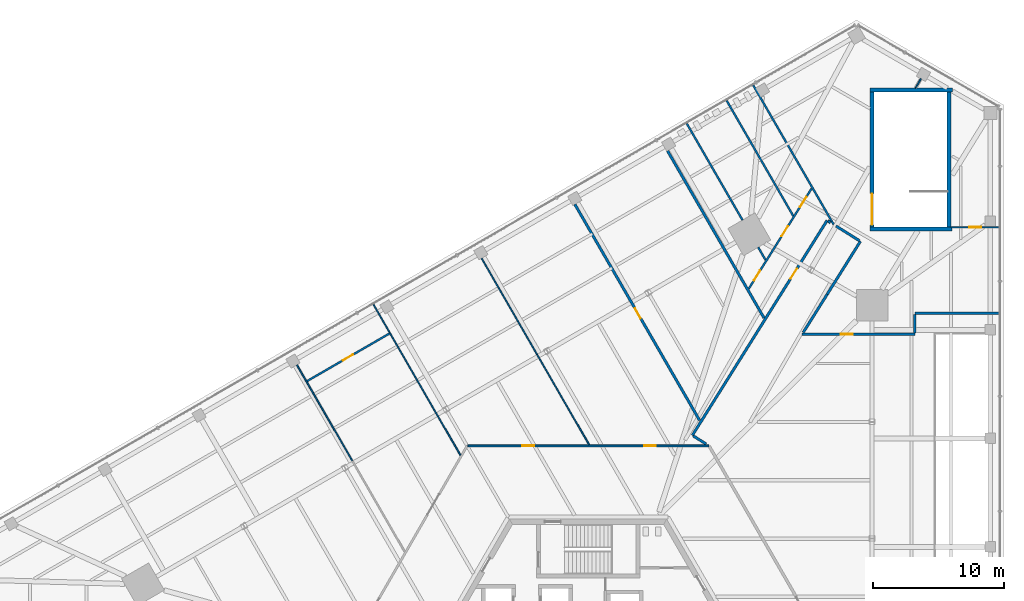
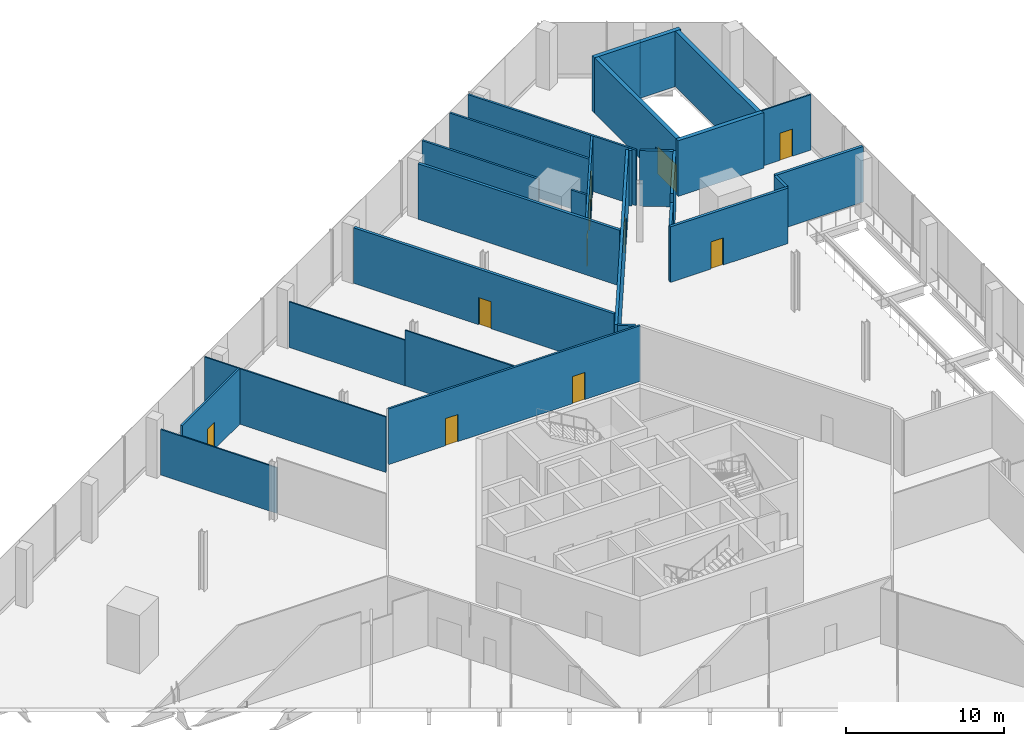
# One storey, part 22 of 25: 28 walls, 11 doors, 11 openings.
"""IFC4 building model written with IfcOpenShell, lengths in metres."""

from ifc_helpers import new_model, si_unit, direction, frame, frame_2d, origin, place, context, subcontext, project, spatial, rectangle, extrude, source, transform, mapped, material, layer, layer_set, type_object, element, fill, save


model = new_model("IFC4")

# Units and contexts
model_context = context("Model", 3, precision=1e-05, world=origin(), true_north=direction((0.0, 1.0)))
body_context = subcontext(model_context, "Body", "Model", "MODEL_VIEW")
ifc_project = project(units=[si_unit("LENGTHUNIT", "METRE"), si_unit("AREAUNIT", "SQUARE_METRE"), si_unit("VOLUMEUNIT", "CUBIC_METRE"), si_unit("PLANEANGLEUNIT", "RADIAN"), si_unit("MASSUNIT", "GRAM", prefix="KILO")], contexts=[model_context])

# Site, building, storey
site_placement = place(None, origin())
site = spatial("IfcSite", under=ifc_project, at=site_placement, CompositionType="ELEMENT")
building_placement = place(site_placement, origin())
building = spatial("IfcBuilding", under=site, at=building_placement, Name="Triune Harvest Tower", CompositionType="ELEMENT")
storey_placement = place(building_placement, frame((0.0, 0.0, 11.5)))
storey = spatial("IfcBuildingStorey", under=building, at=storey_placement, Name="L02", CompositionType="ELEMENT", Elevation=11.5)

# Walls
ifc_material_1 = material(Name="Gypsum board on steel studs", Category="steel")
ifc_layer_1 = layer(ifc_material_1, 0.14990234375)
ifc_layer_set_1 = layer_set([ifc_layer_1], Name="Gypsum board on steel studs")
wall_type_1 = type_object("IfcWallType", Name="Fire Partition 150 mm", PredefinedType="PARTITIONING", material=ifc_layer_set_1)
wall_1_placement = place(storey_placement, frame((7.5390625, 40.58642578125, 0.0), z_axis=(0.0, 0.0, 1.0), x_axis=(0.500002254446, -0.866024102175, 0.0)))
element("IfcWall", 1, at=wall_1_placement, inside=storey, type_object=wall_type_1, Name="Partition L02 009", PredefinedType="PARTITIONING", context=body_context, shape_type="SweptSolid", body=[
    extrude(rectangle(XDim=8.509765625, YDim=0.14990234375, at=frame_2d((4.2548828125, 0.0))), origin(), (0.0, 0.0, 1.0), 4.300048828125),
])
wall_2_placement = place(storey_placement, frame((12.98388671875, 31.155517578125, 0.0), z_axis=(0.0, 0.0, 1.0), x_axis=(0.500106656143, -0.865963817074, 0.0)))
element("IfcWall", 2, at=wall_2_placement, inside=storey, type_object=wall_type_1, Name="Partition L02 010", PredefinedType="PARTITIONING", context=body_context, shape_type="SweptSolid", body=[
    extrude(rectangle(XDim=1.118408203125, YDim=0.14990234375, at=frame_2d((0.55908203125, 0.0))), origin(), (0.0, 0.0, 1.0), 4.300048828125),
])
wall_3_placement = place(storey_placement, frame((10.5830078125, 42.34375, 0.0), z_axis=(0.0, 0.0, 1.0), x_axis=(0.499975465356, -0.866039568404, 0.0)))
element("IfcWall", 3, at=wall_3_placement, inside=storey, type_object=wall_type_1, Name="Partition L02 011", PredefinedType="PARTITIONING", context=body_context, shape_type="SweptSolid", body=[
    extrude(rectangle(XDim=10.24609375, YDim=0.14990234375, at=frame_2d((5.123046875, 0.0))), origin(), (0.0, 0.0, 1.0), 4.300048828125),
])
wall_4_placement = place(storey_placement, frame((12.612060546875, 43.515380859375, 0.0), z_axis=(0.0, 0.0, 1.0), x_axis=(0.499986374972, -0.866033270055, 0.0)))
element("IfcWall", 4, at=wall_4_placement, inside=storey, type_object=wall_type_1, Name="Partition L02 012", PredefinedType="PARTITIONING", context=body_context, shape_type="SweptSolid", body=[
    extrude(rectangle(XDim=12.278076171875, YDim=0.14990234375, at=frame_2d((6.13916015625, 0.0))), origin(), (0.0, 0.0, 1.0), 4.300048828125),
])

# Wall, openings, doors
wall_5_placement = place(storey_placement, frame((-9.18310546875, 15.9921875, 0.0), z_axis=(0.0, 0.0, 1.0), x_axis=(1.0, 0.0, 0.0)))
wall_5 = element("IfcWall", 5, at=wall_5_placement, inside=storey, type_object=wall_type_1, Name="Partition L02 027", PredefinedType="PARTITIONING", context=body_context, shape_type="SweptSolid", body=[
    extrude(rectangle(XDim=18.41455078125, YDim=0.14990234375, at=frame_2d((9.207275390625, 0.0))), origin(), (0.0, 0.0, 1.0), 4.300048828125),
])
opening_1_placement = place(wall_5_placement, frame((4.162353515625, 0.0, 0.0)))
opening_1 = element("IfcOpeningElement", 6, at=opening_1_placement, cuts=wall_5, Name="Opening L02-015", PredefinedType="OPENING", context=body_context, shape_type="SweptSolid", body=[
    extrude(rectangle(XDim=0.89990234375, YDim=2.10009765625, at=frame_2d((0.449951171875, 1.050048828125))), frame((0.0, 0.0849609375, 0.0), z_axis=(0.0, -1.0, 0.0), x_axis=(1.0, 0.0, 0.0)), (0.0, 0.0, 1.0), 0.169921875),
])
opening_2_placement = place(wall_5_placement, frame((13.46630859375, 0.0, 0.0)))
opening_2 = element("IfcOpeningElement", 7, at=opening_2_placement, cuts=wall_5, Name="Opening L02-016", PredefinedType="OPENING", context=body_context, shape_type="SweptSolid", body=[
    extrude(rectangle(XDim=0.89990234375, YDim=2.10009765625, at=frame_2d((0.449951171875, 1.050048828125))), frame((0.0, 0.0849609375, 0.0), z_axis=(0.0, -1.0, 0.0), x_axis=(1.0, 0.0, 0.0)), (0.0, 0.0, 1.0), 0.169921875),
])
ifc_material_2 = material(Name="Timber and steel door set", Category="steel")
door_type_1 = type_object("IfcDoorType", Name="Single leaf door FD30 left hand 900 x 2100", OperationType="SINGLE_SWING_LEFT", PredefinedType="DOOR", material=ifc_material_2)
door_1_placement = place(opening_1_placement, origin())
door_1 = element("IfcDoor", 8, at=door_1_placement, inside=storey, type_object=door_type_1, Name="Door L02-015 Dry Store Room 02.15", OperationType="SINGLE_SWING_LEFT", OverallHeight=2.10009765625, OverallWidth=0.89990234375, PredefinedType="DOOR", context=body_context, shape_type="SweptSolid", body=[
    extrude(rectangle(XDim=0.89990234375, YDim=2.10009765625, at=frame_2d((0.449951171875, 1.050048828125))), frame((0.0, 0.02490234375, 0.0), z_axis=(0.0, -1.0, 0.0), x_axis=(1.0, 0.0, 0.0)), (0.0, 0.0, 1.0), 0.050048828125),
])
fill(opening_1, door_1)
ifc_material_3 = material(Name="Timber and steel door set", Category="steel")
door_type_2 = type_object("IfcDoorType", Name="Single leaf door FD30 right hand 900 x 2100", OperationType="SINGLE_SWING_RIGHT", PredefinedType="DOOR", material=ifc_material_3)
door_2_placement = place(opening_2_placement, origin())
door_2 = element("IfcDoor", 9, at=door_2_placement, inside=storey, type_object=door_type_2, Name="Door L02-016 Dry Store Room 02.16", OperationType="SINGLE_SWING_RIGHT", OverallHeight=2.10009765625, OverallWidth=0.89990234375, PredefinedType="DOOR", context=body_context, shape_type="SweptSolid", body=[
    extrude(rectangle(XDim=0.89990234375, YDim=2.10009765625, at=frame_2d((0.449951171875, 1.050048828125))), frame((0.0, 0.02490234375, 0.0), z_axis=(0.0, -1.0, 0.0), x_axis=(1.0, 0.0, 0.0)), (0.0, 0.0, 1.0), 0.050048828125),
])
fill(opening_2, door_2)

wall_6_placement = place(storey_placement, frame((12.272216796875, 27.993408203125, 0.0), z_axis=(0.0, 0.0, 1.0), x_axis=(0.531186255212, 0.847255075095, 0.0)))
wall_6 = element("IfcWall", 10, at=wall_6_placement, inside=storey, type_object=wall_type_1, Name="Partition L02 038", PredefinedType="PARTITIONING", context=body_context, shape_type="SweptSolid", body=[
    extrude(rectangle(XDim=9.015869140625, YDim=0.14990234375, at=frame_2d((4.5078125, 0.0))), origin(), (0.0, 0.0, 1.0), 4.300048828125),
])
opening_3_placement = place(wall_6_placement, frame((7.36572265625, 0.0, 0.0)))
opening_3 = element("IfcOpeningElement", 11, at=opening_3_placement, cuts=wall_6, Name="Opening L02-009", PredefinedType="OPENING", context=body_context, shape_type="SweptSolid", body=[
    extrude(rectangle(XDim=0.89990234375, YDim=2.10009765625, at=frame_2d((0.449951171875, 1.050048828125))), frame((0.0, 0.0849609375, 0.0), z_axis=(0.0, -1.0, 0.0), x_axis=(1.0, 0.0, 0.0)), (0.0, 0.0, 1.0), 0.169921875),
])
opening_4_placement = place(wall_6_placement, frame((4.714111328125, 0.0, 0.0)))
opening_4 = element("IfcOpeningElement", 12, at=opening_4_placement, cuts=wall_6, Name="Opening L02-010", PredefinedType="OPENING", context=body_context, shape_type="SweptSolid", body=[
    extrude(rectangle(XDim=0.89990234375, YDim=2.10009765625, at=frame_2d((0.449951171875, 1.050048828125))), frame((0.0, 0.0849609375, 0.0), z_axis=(0.0, -1.0, 0.0), x_axis=(1.0, 0.0, 0.0)), (0.0, 0.0, 1.0), 0.169921875),
])
opening_5_placement = place(wall_6_placement, frame((0.73681640625, 0.0, 0.0)))
opening_5 = element("IfcOpeningElement", 13, at=opening_5_placement, cuts=wall_6, Name="Opening L02-011", PredefinedType="OPENING", context=body_context, shape_type="SweptSolid", body=[
    extrude(rectangle(XDim=0.89990234375, YDim=2.10009765625, at=frame_2d((0.449951171875, 1.050048828125))), frame((0.0, 0.0849609375, 0.0), z_axis=(0.0, -1.0, 0.0), x_axis=(1.0, 0.0, 0.0)), (0.0, 0.0, 1.0), 0.169921875),
])
door_3_placement = place(opening_5_placement, origin())
door_3 = element("IfcDoor", 14, at=door_3_placement, inside=storey, type_object=door_type_1, Name="Door L02-011 Accessible WC 02.11", OperationType="SINGLE_SWING_LEFT", OverallHeight=2.10009765625, OverallWidth=0.89990234375, PredefinedType="DOOR", context=body_context, shape_type="SweptSolid", body=[
    extrude(rectangle(XDim=0.89990234375, YDim=2.10009765625, at=frame_2d((0.449951171875, 1.050048828125))), frame((0.0, 0.02490234375, 0.0), z_axis=(0.0, -1.0, 0.0), x_axis=(1.0, 0.0, 0.0)), (0.0, 0.0, 1.0), 0.050048828125),
])
fill(opening_5, door_3)
door_4_placement = place(opening_3_placement, origin())
door_4 = element("IfcDoor", 15, at=door_4_placement, inside=storey, type_object=door_type_2, Name="Door L02-009 Women's WC 02.09", OperationType="SINGLE_SWING_RIGHT", OverallHeight=2.10009765625, OverallWidth=0.89990234375, PredefinedType="DOOR", context=body_context, shape_type="SweptSolid", body=[
    extrude(rectangle(XDim=0.89990234375, YDim=2.10009765625, at=frame_2d((0.449951171875, 1.050048828125))), frame((0.0, 0.02490234375, 0.0), z_axis=(0.0, -1.0, 0.0), x_axis=(1.0, 0.0, 0.0)), (0.0, 0.0, 1.0), 0.050048828125),
])
fill(opening_3, door_4)
door_5_placement = place(opening_4_placement, origin())
door_5 = element("IfcDoor", 16, at=door_5_placement, inside=storey, type_object=door_type_2, Name="Door L02-010 Men's WC 02.10", OperationType="SINGLE_SWING_RIGHT", OverallHeight=2.10009765625, OverallWidth=0.89990234375, PredefinedType="DOOR", context=body_context, shape_type="SweptSolid", body=[
    extrude(rectangle(XDim=0.89990234375, YDim=2.10009765625, at=frame_2d((0.449951171875, 1.050048828125))), frame((0.0, 0.02490234375, 0.0), z_axis=(0.0, -1.0, 0.0), x_axis=(1.0, 0.0, 0.0)), (0.0, 0.0, 1.0), 0.050048828125),
])
fill(opening_4, door_5)

# Wall, opening, door
ifc_material_4 = material(Name="Gypsum board on steel studs", Category="steel")
ifc_layer_2 = layer(ifc_material_4, 0.199951171875)
ifc_layer_set_2 = layer_set([ifc_layer_2], Name="Gypsum board on steel studs")
wall_type_2 = type_object("IfcWallType", Name="Fire Wall 200 mm", PredefinedType="PARTITIONING", material=ifc_layer_set_2)
wall_7_placement = place(storey_placement, frame((-1.01171875, 34.432373046875, 0.0), z_axis=(0.0, 0.0, 1.0), x_axis=(0.499992253202, -0.866029876354, 0.0)))
wall_7 = element("IfcWall", 17, at=wall_7_placement, inside=storey, type_object=wall_type_2, Name="Partition L02 007", PredefinedType="PARTITIONING", context=body_context, shape_type="SweptSolid", body=[
    extrude(rectangle(XDim=19.060302734375, YDim=0.199951171875, at=frame_2d((9.5302734375, 0.0))), origin(), (0.0, 0.0, 1.0), 4.300048828125),
])
opening_6_placement = place(wall_7_placement, frame((9.160400390625, 0.0, 0.0)))
opening_6 = element("IfcOpeningElement", 18, at=opening_6_placement, cuts=wall_7, Name="Opening L02-012", PredefinedType="OPENING", context=body_context, shape_type="SweptSolid", body=[
    extrude(rectangle(XDim=0.89990234375, YDim=2.10009765625, at=frame_2d((0.449951171875, 1.050048828125))), frame((0.0, 0.10986328125, 0.0), z_axis=(0.0, -1.0, 0.0), x_axis=(1.0, 0.0, 0.0)), (0.0, 0.0, 1.0), 0.219970703125),
])
ifc_material_5 = material(Name="Timber and steel door set", Category="steel")
door_type_3 = type_object("IfcDoorType", Name="Single leaf door FD60 right hand 900 x 2100", OperationType="SINGLE_SWING_RIGHT", PredefinedType="DOOR", material=ifc_material_5)
door_6_placement = place(opening_6_placement, origin())
door_6 = element("IfcDoor", 19, at=door_6_placement, inside=storey, type_object=door_type_3, Name="Door L02-012 Teaching Kitchen 02.12", OperationType="SINGLE_SWING_RIGHT", OverallHeight=2.10009765625, OverallWidth=0.89990234375, PredefinedType="DOOR", context=body_context, shape_type="SweptSolid", body=[
    extrude(rectangle(XDim=0.89990234375, YDim=2.10009765625, at=frame_2d((0.449951171875, 1.050048828125))), frame((0.0, 0.02490234375, 0.0), z_axis=(0.0, -1.0, 0.0), x_axis=(1.0, 0.0, 0.0)), (0.0, 0.0, 1.0), 0.050048828125),
])
fill(opening_6, door_6)

# Walls
wall_8_placement = place(storey_placement, frame((6.063720703125, 38.517333984375, 0.0), z_axis=(0.0, 0.0, 1.0), x_axis=(0.499995309565, -0.866028111791, 0.0)))
element("IfcWall", 20, at=wall_8_placement, inside=storey, type_object=wall_type_2, Name="Partition L02 008", PredefinedType="PARTITIONING", context=body_context, shape_type="SweptSolid", body=[
    extrude(rectangle(XDim=14.741943359375, YDim=0.199951171875, at=frame_2d((7.37109375, 0.0))), origin(), (0.0, 0.0, 1.0), 4.300048828125),
])
wall_9_placement = place(storey_placement, frame((8.030029296875, 16.74658203125, 0.0), z_axis=(0.0, 0.0, 1.0), x_axis=(0.847264471117, -0.531171268032, 0.0)))
element("IfcWall", 21, at=wall_9_placement, inside=storey, type_object=wall_type_2, Name="Partition L02 015", PredefinedType="PARTITIONING", context=body_context, shape_type="SweptSolid", body=[
    extrude(rectangle(XDim=1.16015625, YDim=0.199951171875, at=frame_2d((0.580078125, 0.0))), origin(), (0.0, 0.0, 1.0), 4.300048828125),
])
wall_10_placement = place(storey_placement, frame((18.315185546875, 33.1552734375, 0.0), z_axis=(0.0, 0.0, 1.0), x_axis=(0.847485956017, -0.530817816538, 0.0)))
element("IfcWall", 22, at=wall_10_placement, inside=storey, type_object=wall_type_2, Name="Partition L02 016", PredefinedType="PARTITIONING", context=body_context, shape_type="SweptSolid", body=[
    extrude(rectangle(XDim=0.21435546875, YDim=0.199951171875, at=frame_2d((0.107177734375, 0.0))), origin(), (0.0, 0.0, 1.0), 4.300048828125),
])
wall_11_placement = place(storey_placement, frame((18.924072265625, 32.773681640625, 0.0), z_axis=(0.0, 0.0, 1.0), x_axis=(0.847190627169, -0.531289037377, 0.0)))
element("IfcWall", 23, at=wall_11_placement, inside=storey, type_object=wall_type_2, Name="Partition L02 017", PredefinedType="PARTITIONING", context=body_context, shape_type="SweptSolid", body=[
    extrude(rectangle(XDim=2.125244140625, YDim=0.199951171875, at=frame_2d((1.0625, 0.0))), origin(), (0.0, 0.0, 1.0), 4.300048828125),
])

# Wall, opening, door
wall_12_placement = place(storey_placement, frame((16.34375, 24.510009765625, 0.0), z_axis=(0.0, 0.0, 1.0), x_axis=(1.0, 0.0, 0.0)))
wall_12 = element("IfcWall", 24, at=wall_12_placement, inside=storey, type_object=wall_type_2, Name="Partition L02 028", PredefinedType="PARTITIONING", context=body_context, shape_type="SweptSolid", body=[
    extrude(rectangle(XDim=8.610595703125, YDim=0.199951171875, at=frame_2d((4.30517578125, 0.0))), origin(), (0.0, 0.0, 1.0), 4.300048828125),
])
opening_7_placement = place(wall_12_placement, frame((2.96044921875, 0.0, 0.0)))
opening_7 = element("IfcOpeningElement", 25, at=opening_7_placement, cuts=wall_12, Name="Opening L02-006", PredefinedType="OPENING", context=body_context, shape_type="SweptSolid", body=[
    extrude(rectangle(XDim=0.89990234375, YDim=2.10009765625, at=frame_2d((0.449951171875, 1.050048828125))), frame((0.0, 0.10986328125, 0.0), z_axis=(0.0, -1.0, 0.0), x_axis=(1.0, 0.0, 0.0)), (0.0, 0.0, 1.0), 0.219970703125),
])
ifc_material_6 = material(Name="Timber and steel door set", Category="steel")
door_type_4 = type_object("IfcDoorType", Name="Single leaf door FD60 left hand 900 x 2100", OperationType="SINGLE_SWING_LEFT", PredefinedType="DOOR", material=ifc_material_6)
door_7_placement = place(opening_7_placement, origin())
door_7 = element("IfcDoor", 26, at=door_7_placement, inside=storey, type_object=door_type_4, Name="Door L02-006 Office 02.06", OperationType="SINGLE_SWING_LEFT", OverallHeight=2.10009765625, OverallWidth=0.89990234375, PredefinedType="DOOR", context=body_context, shape_type="SweptSolid", body=[
    extrude(rectangle(XDim=0.89990234375, YDim=2.10009765625, at=frame_2d((0.449951171875, 1.050048828125))), frame((0.0, 0.02490234375, 0.0), z_axis=(0.0, -1.0, 0.0), x_axis=(1.0, 0.0, 0.0)), (0.0, 0.0, 1.0), 0.050048828125),
])
fill(opening_7, door_7)

# Walls
wall_13_placement = place(storey_placement, frame((24.954345703125, 26.10009765625, 0.0), z_axis=(0.0, 0.0, 1.0), x_axis=(1.0, 0.0, 0.0)))
element("IfcWall", 27, at=wall_13_placement, inside=storey, type_object=wall_type_2, Name="Partition L02 029", PredefinedType="PARTITIONING", context=body_context, shape_type="SweptSolid", body=[
    extrude(rectangle(XDim=6.425048828125, YDim=0.199951171875, at=frame_2d((3.21240234375, 0.0))), origin(), (0.0, 0.0, 1.0), 4.300048828125),
])
wall_14_placement = place(storey_placement, frame((16.4287109375, 24.6455078125, 0.0), z_axis=(0.0, 0.0, 1.0), x_axis=(0.53120440513, 0.84724369574, 0.0)))
element("IfcWall", 28, at=wall_14_placement, inside=storey, type_object=wall_type_2, Name="Partition L02 036", PredefinedType="PARTITIONING", context=body_context, shape_type="SweptSolid", body=[
    extrude(rectangle(XDim=3.439208984375, YDim=0.199951171875, at=frame_2d((1.7197265625, 0.0))), origin(), (0.0, 0.0, 1.0), 3.61669921875),
])
wall_15_placement = place(storey_placement, frame((18.255615234375, 27.559326171875, 0.0), z_axis=(0.0, 0.0, 1.0), x_axis=(0.53119383155, 0.847250325065, 0.0)))
element("IfcWall", 29, at=wall_15_placement, inside=storey, type_object=wall_type_2, Name="Partition L02 036a", PredefinedType="PARTITIONING", context=body_context, shape_type="SweptSolid", body=[
    extrude(rectangle(XDim=4.77294921875, YDim=0.199951171875, at=frame_2d((2.386474609375, 0.0))), origin(), (0.0, 0.0, 1.0), 4.300048828125),
])

# Wall, opening, door
wall_16_placement = place(storey_placement, frame((7.96240234375, 16.7890625, 0.0), z_axis=(0.0, 0.0, 1.0), x_axis=(0.531179225495, 0.847259482333, 0.0)))
wall_16 = element("IfcWall", 30, at=wall_16_placement, inside=storey, type_object=wall_type_2, Name="Partition L02 037", PredefinedType="PARTITIONING", context=body_context, shape_type="SweptSolid", body=[
    extrude(rectangle(XDim=19.36572265625, YDim=0.199951171875, at=frame_2d((9.682861328125, 0.0))), origin(), (0.0, 0.0, 1.0), 4.300048828125),
])
opening_8_placement = place(wall_16_placement, frame((14.11572265625, 0.0, 0.0)))
opening_8 = element("IfcOpeningElement", 31, at=opening_8_placement, cuts=wall_16, Name="Opening L02-008", PredefinedType="OPENING", context=body_context, shape_type="SweptSolid", body=[
    extrude(rectangle(XDim=0.89990234375, YDim=2.10009765625, at=frame_2d((0.449951171875, 1.050048828125))), frame((0.0, 0.10986328125, 0.0), z_axis=(0.0, -1.0, 0.0), x_axis=(1.0, 0.0, 0.0)), (0.0, 0.0, 1.0), 0.219970703125),
])
door_8_placement = place(opening_8_placement, origin())
door_8 = element("IfcDoor", 32, at=door_8_placement, inside=storey, type_object=door_type_3, Name="Door L02-008 WC lobby 02.08", OperationType="SINGLE_SWING_RIGHT", OverallHeight=2.10009765625, OverallWidth=0.89990234375, PredefinedType="DOOR", context=body_context, shape_type="SweptSolid", body=[
    extrude(rectangle(XDim=0.89990234375, YDim=2.10009765625, at=frame_2d((0.449951171875, 1.050048828125))), frame((0.0, 0.02490234375, 0.0), z_axis=(0.0, -1.0, 0.0), x_axis=(1.0, 0.0, 0.0)), (0.0, 0.0, 1.0), 0.050048828125),
])
fill(opening_8, door_8)

# Walls
wall_17_placement = place(storey_placement, frame((24.954345703125, 24.590087890625, 0.0), z_axis=(0.0, 0.0, 1.0), x_axis=(0.0, 1.0, 0.0)))
element("IfcWall", 33, at=wall_17_placement, inside=storey, type_object=wall_type_2, Name="Partition L02 056", PredefinedType="PARTITIONING", context=body_context, shape_type="SweptSolid", body=[
    extrude(rectangle(XDim=1.429931640625, YDim=0.199951171875, at=frame_2d((0.71484375, 0.0))), origin(), (0.0, 0.0, 1.0), 4.300048828125),
])
ifc_material_7 = material(Name="Gypsum board on steel studs", Category="steel")
ifc_layer_3 = layer(ifc_material_7, 0.10009765625)
ifc_layer_set_3 = layer_set([ifc_layer_3], Name="Gypsum board on steel studs")
wall_type_3 = type_object("IfcWallType", Name="Partition 100 mm", PredefinedType="PARTITIONING", material=ifc_layer_set_3)
wall_18_placement = place(storey_placement, frame((-16.384033203125, 26.7744140625, 0.0), z_axis=(0.0, 0.0, 1.0), x_axis=(0.499987033477, -0.86603288988, 0.0)))
element("IfcWall", 34, at=wall_18_placement, inside=storey, type_object=wall_type_3, Name="Partition L02 003", PredefinedType="PARTITIONING", context=body_context, shape_type="SweptSolid", body=[
    extrude(rectangle(XDim=13.285888671875, YDim=0.10009765625, at=frame_2d((6.64306640625, 0.0))), origin(), (0.0, 0.0, 1.0), 4.300048828125),
])
wall_19_placement = place(storey_placement, frame((-3.894287109375, 22.9609375, 0.0), z_axis=(0.0, 0.0, 1.0), x_axis=(0.50001992892, -0.866013897511, 0.0)))
element("IfcWall", 35, at=wall_19_placement, inside=storey, type_object=wall_type_3, Name="Partition L02 005a", PredefinedType="PARTITIONING", context=body_context, shape_type="SweptSolid", body=[
    extrude(rectangle(XDim=7.956787109375, YDim=0.10009765625, at=frame_2d((3.978515625, 0.0))), origin(), (0.0, 0.0, 1.0), 4.300048828125),
])

# Wall, opening, door
wall_20_placement = place(storey_placement, frame((27.719970703125, 32.679931640625, 0.0), z_axis=(0.0, 0.0, 1.0), x_axis=(1.0, 0.0, 0.0)))
wall_20 = element("IfcWall", 36, at=wall_20_placement, inside=storey, type_object=wall_type_3, Name="Partition L02 030", PredefinedType="PARTITIONING", context=body_context, shape_type="SweptSolid", body=[
    extrude(rectangle(XDim=3.659423828125, YDim=0.10009765625, at=frame_2d((1.82958984375, 0.0))), origin(), (0.0, 0.0, 1.0), 4.300048828125),
])
opening_9_placement = place(wall_20_placement, frame((1.38427734375, 0.0, 0.0)))
opening_9 = element("IfcOpeningElement", 37, at=opening_9_placement, cuts=wall_20, Name="Opening L02-007", PredefinedType="OPENING", context=body_context, shape_type="SweptSolid", body=[
    extrude(rectangle(XDim=0.89990234375, YDim=2.10009765625, at=frame_2d((0.449951171875, 1.050048828125))), frame((0.0, 0.06005859375, 0.0), z_axis=(0.0, -1.0, 0.0), x_axis=(1.0, 0.0, 0.0)), (0.0, 0.0, 1.0), 0.1201171875),
])
ifc_material_8 = material(Name="Timber and steel door set", Category="steel")
door_type_5 = type_object("IfcDoorType", Name="Single leaf door right hand 900 x 2100", OperationType="SINGLE_SWING_RIGHT", PredefinedType="DOOR", material=ifc_material_8)
door_9_placement = place(opening_9_placement, origin())
door_9 = element("IfcDoor", 38, at=door_9_placement, inside=storey, type_object=door_type_5, Name="Door L02-007 Classroom 02.07", OperationType="SINGLE_SWING_RIGHT", OverallHeight=2.10009765625, OverallWidth=0.89990234375, PredefinedType="DOOR", context=body_context, shape_type="SweptSolid", body=[
    extrude(rectangle(XDim=0.89990234375, YDim=2.10009765625, at=frame_2d((0.449951171875, 1.050048828125))), frame((0.0, 0.02490234375, 0.0), z_axis=(0.0, -1.0, 0.0), x_axis=(1.0, 0.0, 0.0)), (0.0, 0.0, 1.0), 0.050048828125),
])
fill(opening_9, door_9)

# Wall
wall_21_placement = place(storey_placement, frame((24.9990234375, 43.300048828125, 0.0), z_axis=(0.0, 0.0, 1.0), x_axis=(0.500064973171, 0.865987888257, 0.0)))
element("IfcWall", 39, at=wall_21_placement, inside=storey, type_object=wall_type_3, Name="Partition L02 048", PredefinedType="PARTITIONING", context=body_context, shape_type="SweptSolid", body=[
    extrude(rectangle(XDim=0.82275390625, YDim=0.10009765625, at=frame_2d((0.411376953125, 0.0))), origin(), (0.0, 0.0, 1.0), 3.687744140625),
])

# Wall, opening, door
ifc_material_9 = material(Name="Concrete 70 MPa", Category="concrete")
ifc_layer_4 = layer(ifc_material_9, 0.300048828125)
ifc_layer_set_4 = layer_set([ifc_layer_4], Name="Concrete 70 MPa")
wall_type_4 = type_object("IfcWallType", Name="Core wall 300", PredefinedType="SHEAR", material=ifc_layer_set_4)
shared_shape_1 = source(origin(), body_context, "Body", "SweptSolid", [
    extrude(rectangle(XDim=10.300048828125, YDim=0.300048828125, at=frame_2d((5.14990234375, 0.0))), origin(), (0.0, 0.0, 1.0), 4.300048828125),
])
wall_22_placement = place(storey_placement, frame((21.669921875, 32.699951171875, 0.0), z_axis=(0.0, 0.0, 1.0), x_axis=(0.0, 1.0, 0.0)))
wall_22 = element("IfcWall", 40, at=wall_22_placement, inside=storey, type_object=wall_type_4, Name="Podium stair ps 1 west wall", PredefinedType="SHEAR", context=body_context, shape_type="MappedRepresentation", body=[
    mapped(shared_shape_1, transform((0.0, 0.0, 0.0), scale=1.0)),
])
opening_10_placement = place(wall_22_placement, frame((0.14990234375, 0.0, 0.0)))
opening_10 = element("IfcOpeningElement", 41, at=opening_10_placement, cuts=wall_22, Name="Opening PS-1-02A", PredefinedType="OPENING", context=body_context, shape_type="SweptSolid", body=[
    extrude(rectangle(XDim=2.39990234375, YDim=2.10009765625, at=frame_2d((1.199951171875, 1.050048828125))), frame((0.0, 0.16015625, 0.0), z_axis=(0.0, -1.0, 0.0), x_axis=(1.0, 0.0, 0.0)), (0.0, 0.0, 1.0), 0.320068359375),
])
ifc_material_10 = material(Name="Steel S235", Category="steel")
door_type_6 = type_object("IfcDoorType", Name="Stair door 2400 FD120", OperationType="DOUBLE_DOOR_DOUBLE_SWING", PredefinedType="DOOR", material=ifc_material_10)
door_10_placement = place(opening_10_placement, origin())
door_10 = element("IfcDoor", 42, at=door_10_placement, inside=storey, type_object=door_type_6, Name="Door PS-1-02A", OperationType="DOUBLE_DOOR_DOUBLE_SWING", OverallHeight=2.10009765625, OverallWidth=2.39990234375, PredefinedType="DOOR", context=body_context, shape_type="SweptSolid", body=[
    extrude(rectangle(XDim=2.39990234375, YDim=2.10009765625, at=frame_2d((1.199951171875, 1.050048828125))), frame((0.0, 0.02490234375, 0.0), z_axis=(0.0, -1.0, 0.0), x_axis=(1.0, 0.0, 0.0)), (0.0, 0.0, 1.0), 0.050048828125),
])
fill(opening_10, door_10)

# Walls
wall_23_placement = place(storey_placement, frame((27.570068359375, 32.699951171875, 0.0), z_axis=(0.0, 0.0, 1.0), x_axis=(0.0, 1.0, 0.0)))
element("IfcWall", 43, at=wall_23_placement, inside=storey, type_object=wall_type_4, Name="Podium stair ps 1 east wall", PredefinedType="SHEAR", context=body_context, shape_type="MappedRepresentation", body=[
    mapped(shared_shape_1, transform((0.0, 0.0, 0.0), scale=1.0)),
])
shared_shape_2 = source(origin(), body_context, "Body", "SweptSolid", [
    extrude(rectangle(XDim=6.260009765625, YDim=0.300048828125, at=frame_2d((3.1298828125, 0.0))), origin(), (0.0, 0.0, 1.0), 4.300048828125),
])
wall_24_placement = place(storey_placement, frame((21.52001953125, 32.550048828125, 0.0), z_axis=(0.0, 0.0, 1.0), x_axis=(1.0, 0.0, 0.0)))
element("IfcWall", 44, at=wall_24_placement, inside=storey, type_object=wall_type_4, Name="Podium stair ps 1 south wall", PredefinedType="SHEAR", context=body_context, shape_type="MappedRepresentation", body=[
    mapped(shared_shape_2, transform((0.0, 0.0, 0.0), scale=1.0)),
])
shared_shape_3 = source(origin(), body_context, "Body", "SweptSolid", [
    extrude(rectangle(XDim=6.31005859375, YDim=0.300048828125, at=frame_2d((3.155029296875, 0.0))), origin(), (0.0, 0.0, 1.0), 4.300048828125),
])
wall_25_placement = place(storey_placement, frame((21.52001953125, 43.14990234375, 0.0), z_axis=(0.0, 0.0, 1.0), x_axis=(1.0, 0.0, 0.0)))
element("IfcWall", 45, at=wall_25_placement, inside=storey, type_object=wall_type_4, Name="Podium stair ps 1 north wall", PredefinedType="SHEAR", context=body_context, shape_type="MappedRepresentation", body=[
    mapped(shared_shape_3, transform((0.0, 0.0, 0.0), scale=1.0)),
])

# Wall, opening, door
shared_shape_4 = source(origin(), body_context, "Body", "SweptSolid", [
    extrude(rectangle(XDim=7.307861328125, YDim=0.14990234375, at=frame_2d((3.65380859375, 0.0))), origin(), (0.0, 0.0, 1.0), 4.300048828125),
])
wall_26_placement = place(storey_placement, frame((-21.4765625, 20.91845703125, 0.0), z_axis=(0.0, 0.0, 1.0), x_axis=(0.866020355572, 0.500008743658, 0.0)))
wall_26 = element("IfcWall", 46, at=wall_26_placement, inside=storey, type_object=wall_type_1, Name="Partition L02 032", PredefinedType="PARTITIONING", context=body_context, shape_type="MappedRepresentation", body=[
    mapped(shared_shape_4, transform((0.0, 0.0, 0.0), scale=1.0)),
])
opening_11_placement = place(wall_26_placement, frame((3.18798828125, 0.0, 0.0)))
opening_11 = element("IfcOpeningElement", 47, at=opening_11_placement, cuts=wall_26, Name="Opening L02-014", PredefinedType="OPENING", context=body_context, shape_type="SweptSolid", body=[
    extrude(rectangle(XDim=0.89990234375, YDim=2.10009765625, at=frame_2d((0.449951171875, 1.050048828125))), frame((0.0, 0.0849609375, 0.0), z_axis=(0.0, -1.0, 0.0), x_axis=(1.0, 0.0, 0.0)), (0.0, 0.0, 1.0), 0.169921875),
])
door_11_placement = place(opening_11_placement, origin())
door_11 = element("IfcDoor", 48, at=door_11_placement, inside=storey, type_object=door_type_1, Name="Door L02-014 Dry Store Room 02.14", OperationType="SINGLE_SWING_LEFT", OverallHeight=2.10009765625, OverallWidth=0.89990234375, PredefinedType="DOOR", context=body_context, shape_type="SweptSolid", body=[
    extrude(rectangle(XDim=0.89990234375, YDim=2.10009765625, at=frame_2d((0.449951171875, 1.050048828125))), frame((0.0, 0.02490234375, 0.0), z_axis=(0.0, -1.0, 0.0), x_axis=(1.0, 0.0, 0.0)), (0.0, 0.0, 1.0), 0.050048828125),
])
fill(opening_11, door_11)

# Walls
shared_shape_5 = source(origin(), body_context, "Body", "SweptSolid", [
    extrude(rectangle(XDim=8.4931640625, YDim=0.10009765625, at=frame_2d((4.24658203125, 0.0))), origin(), (0.0, 0.0, 1.0), 3.52783203125),
])
wall_27_placement = place(storey_placement, frame((-22.238037109375, 22.17724609375, 0.0), z_axis=(0.0, 0.0, 1.0), x_axis=(0.500003631449, -0.866023307156, 0.0)))
element("IfcWall", 49, at=wall_27_placement, inside=storey, type_object=wall_type_3, Name="Partition L02 002", PredefinedType="PARTITIONING", context=body_context, shape_type="MappedRepresentation", body=[
    mapped(shared_shape_5, transform((0.0, 0.0, 0.0), scale=1.0)),
])
shared_shape_6 = source(origin(), body_context, "Body", "SweptSolid", [
    extrude(rectangle(XDim=8.493408203125, YDim=0.10009765625, at=frame_2d((4.24658203125, 0.0))), origin(), (0.0, 0.0, 1.0), 3.52783203125),
])
wall_28_placement = place(storey_placement, frame((-8.140869140625, 30.31640625, 0.0), z_axis=(0.0, 0.0, 1.0), x_axis=(0.499991184371, -0.86603049343, 0.0)))
element("IfcWall", 50, at=wall_28_placement, inside=storey, type_object=wall_type_3, Name="Partition L02 005", PredefinedType="PARTITIONING", context=body_context, shape_type="MappedRepresentation", body=[
    mapped(shared_shape_6, transform((0.0, 0.0, 0.0), scale=1.0)),
])

save(model, "model.ifc")
